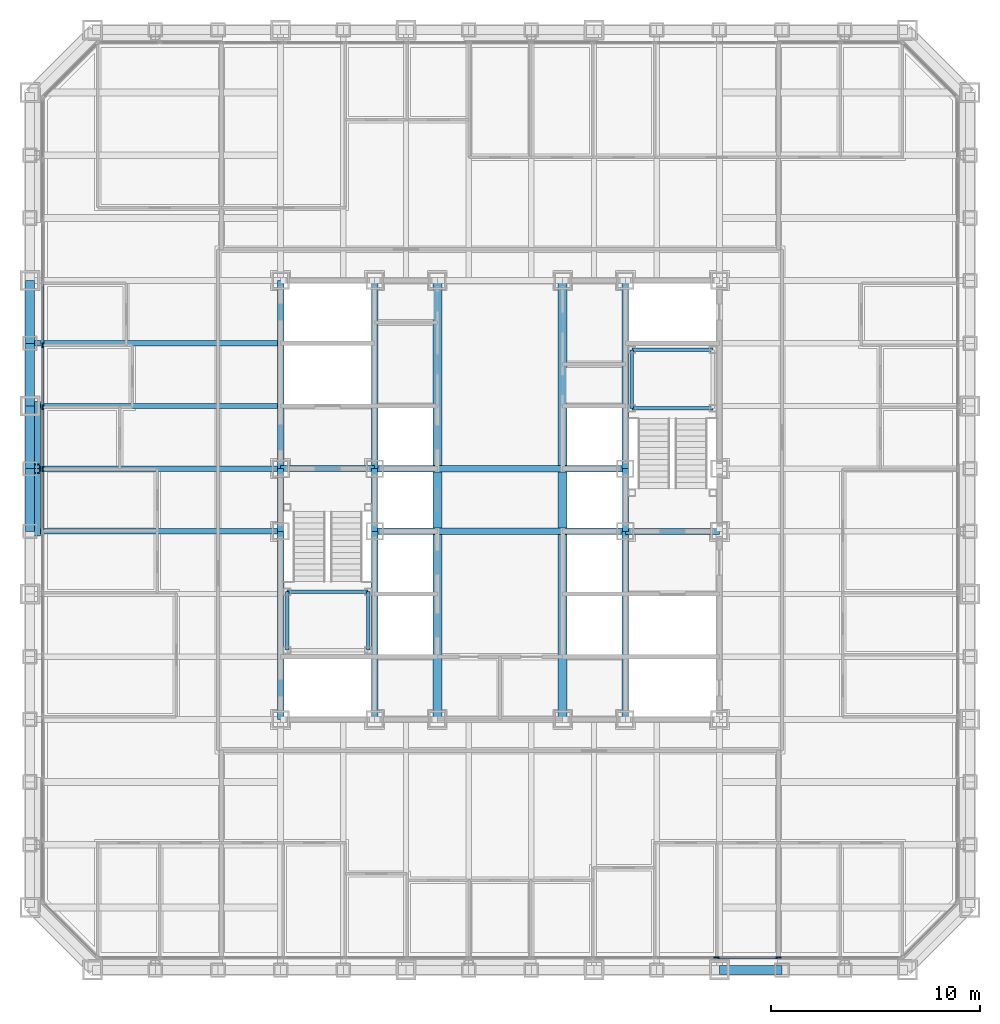
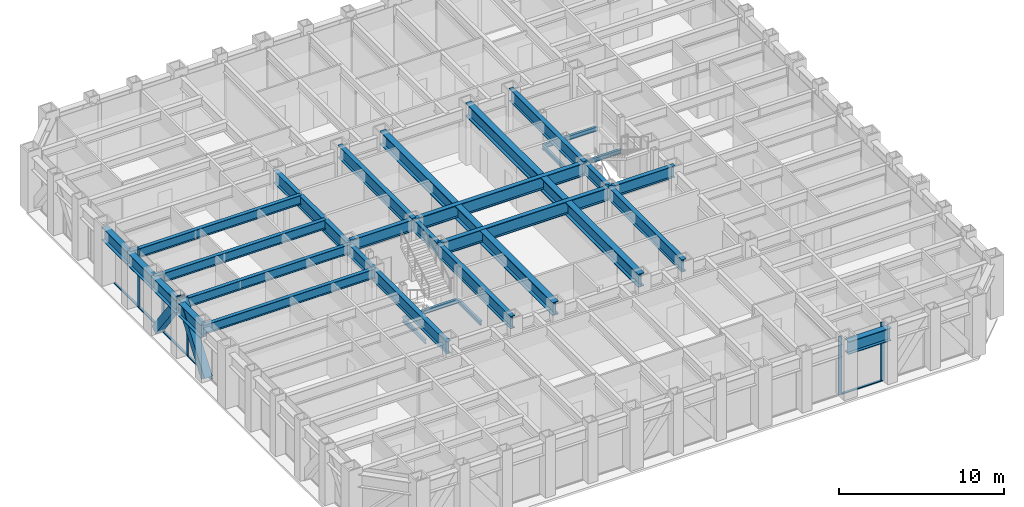
# One storey, part 3 of 16: 34 beams, 12 members, 2 elements without a shape of their own.
"""IFC4 building model written with IfcOpenShell, lengths in metres."""

from ifc_helpers import new_model, si_unit, direction, frame, origin, origin_2d, place, context, subcontext, project, spatial, rectangle, hollow_rectangle, i_section, extrude, material, layer, layer_set, material_profile, profile_set, type_object, element, aggregate, save


model = new_model("IFC4")

# Units and contexts
model_context = context("Model", 3, precision=1e-05, world=origin(), true_north=direction((0.0, 1.0)))
body_context = subcontext(model_context, "Body", "Model", "MODEL_VIEW")
ifc_project = project(units=[si_unit("LENGTHUNIT", "METRE"), si_unit("AREAUNIT", "SQUARE_METRE"), si_unit("VOLUMEUNIT", "CUBIC_METRE"), si_unit("PLANEANGLEUNIT", "RADIAN"), si_unit("MASSUNIT", "GRAM", prefix="KILO")], contexts=[model_context])

# Site, building, storey
site_placement = place(None, origin())
site = spatial("IfcSite", under=ifc_project, at=site_placement, CompositionType="ELEMENT")
building_placement = place(site_placement, origin())
building = spatial("IfcBuilding", under=site, at=building_placement, Name="Chuquiago Exchange Tower", CompositionType="ELEMENT")
storey_placement = place(building_placement, frame((0.0, 0.0, 82.800048828125)))
storey = spatial("IfcBuildingStorey", under=building, at=storey_placement, Name="L17", CompositionType="ELEMENT", Elevation=82.800048828125)

# Beams
ifc_material_1 = material(Name="Steel ASTM A992", Category="steel")
ifc_material_profile_1 = material_profile(ifc_material_1, i_section(OverallWidth=0.307373046875, OverallDepth=0.927001953125, WebThickness=0.01953125, FlangeThickness=0.031982421875, at=origin_2d()), Name="W36X194")
ifc_profile_set_1 = profile_set([ifc_material_profile_1], Name="Steel ASTM A992")
beam_type_1 = type_object("IfcBeamType", Name="B10 W36X194", PredefinedType="BEAM", material=ifc_profile_set_1)
for number, where, z_axis, x_axis, name in (
    (1, (12.0, 12.0, 3.576416015625), (0.0, 1.0, 0.0), (-1.0, 0.0, 0.0), "CB-L18-12_12-12_21"),
    (2, (12.0, 24.0, 3.576416015625), (0.0, 1.0, 0.0), (-1.0, 0.0, 0.0), "CB-L18-12_24-12_33"),
    (3, (16.5, 12.0, 3.87646484375), (0.0, 1.0, 0.0), (-1.0, 0.0, 0.0), "CB-L18-16.5_12-16.5_21"),
    (4, (16.5, 24.0, 3.87646484375), (0.0, 1.0, 0.0), (-1.0, 0.0, 0.0), "CB-L18-16.5_24-16.5_33"),
    (5, (28.5, 12.0, 3.87646484375), (0.0, 1.0, 0.0), (-1.0, 0.0, 0.0), "CB-L18-28.5_12-28.5_21"),
    (6, (28.5, 24.0, 3.87646484375), (0.0, 1.0, 0.0), (-1.0, 0.0, 0.0), "CB-L18-28.5_24-28.5_33"),
):
    element("IfcBeam", number, at=place(storey_placement, frame(where, z_axis=z_axis, x_axis=x_axis)), inside=storey, type_object=beam_type_1, Name=name, PredefinedType="BEAM", context=body_context, shape_type="SweptSolid", body=[
        extrude(i_section(OverallWidth=0.307373046875, OverallDepth=0.927001953125, WebThickness=0.01953125, FlangeThickness=0.031982421875, at=origin_2d()), origin(), (0.0, 0.0, 1.0), 9.0),
    ])
ifc_material_2 = material(Name="Steel ASTM A992", Category="steel")
ifc_material_profile_2 = material_profile(ifc_material_2, i_section(OverallWidth=0.309814453125, OverallDepth=0.949951171875, WebThickness=0.0244140625, FlangeThickness=0.0439453125, at=origin_2d()), Name="W36X256")
ifc_profile_set_2 = profile_set([ifc_material_profile_2], Name="Steel ASTM A992")
beam_type_2 = type_object("IfcBeamType", Name="B11 W36X256", PredefinedType="BEAM", material=ifc_profile_set_2)
for number, where, z_axis, x_axis, name in (
    (7, (16.5, 21.0, 3.864990234375), (1.0, 0.0, 0.0), (0.0, 1.0, 0.0), "CB-L18-16.5_21-28.5_21"),
    (8, (16.5, 24.0, 3.864990234375), (1.0, 0.0, 0.0), (0.0, 1.0, 0.0), "CB-L18-16.5_24-28.5_24"),
):
    element("IfcBeam", number, at=place(storey_placement, frame(where, z_axis=z_axis, x_axis=x_axis)), inside=storey, type_object=beam_type_2, Name=name, PredefinedType="BEAM", context=body_context, shape_type="SweptSolid", body=[
        extrude(i_section(OverallWidth=0.309814453125, OverallDepth=0.949951171875, WebThickness=0.0244140625, FlangeThickness=0.0439453125, at=origin_2d()), origin(), (0.0, 0.0, 1.0), 12.0),
    ])
ifc_material_3 = material(Name="Steel ASTM A992", Category="steel")
ifc_material_profile_3 = material_profile(ifc_material_3, i_section(OverallWidth=0.4267578125, OverallDepth=0.975341796875, WebThickness=0.031005859375, FlangeThickness=0.055908203125, at=origin_2d()), Name="W36X395")
ifc_profile_set_3 = profile_set([ifc_material_profile_3], Name="Steel ASTM A992")
beam_type_3 = type_object("IfcBeamType", Name="B12 W36X395", PredefinedType="BEAM", material=ifc_profile_set_3)
beam_1_placement = place(storey_placement, frame((19.5, 12.0, 3.852294921875), z_axis=(0.0, 1.0, 0.0), x_axis=(-1.0, 0.0, 0.0)))
element("IfcBeam", 9, at=beam_1_placement, inside=storey, type_object=beam_type_3, Name="CB-L18-19.5_12-19.5_20.8451", PredefinedType="BEAM", context=body_context, shape_type="SweptSolid", body=[
    extrude(i_section(OverallWidth=0.4267578125, OverallDepth=0.975341796875, WebThickness=0.031005859375, FlangeThickness=0.055908203125, at=origin_2d()), origin(), (0.0, 0.0, 1.0), 8.84521484375),
])
beam_2_placement = place(storey_placement, frame((19.5, 21.15478515625, 3.852294921875), z_axis=(0.0, 1.0, 0.0), x_axis=(-1.0, 0.0, 0.0)))
element("IfcBeam", 10, at=beam_2_placement, inside=storey, type_object=beam_type_3, Name="CB-L18-19.5_21.1549-19.5_23.8451", PredefinedType="BEAM", context=body_context, shape_type="SweptSolid", body=[
    extrude(i_section(OverallWidth=0.4267578125, OverallDepth=0.975341796875, WebThickness=0.031005859375, FlangeThickness=0.055908203125, at=origin_2d()), origin(), (0.0, 0.0, 1.0), 2.6904296875),
])
for number, where, z_axis, x_axis, name in (
    (11, (19.5, 24.15478515625, 3.852294921875), (0.0, 1.0, 0.0), (-1.0, 0.0, 0.0), "CB-L18-19.5_24.1549-19.5_33"),
    (12, (25.5, 12.0, 3.852294921875), (0.0, 1.0, 0.0), (-1.0, 0.0, 0.0), "CB-L18-25.5_12-25.5_20.8451"),
):
    element("IfcBeam", number, at=place(storey_placement, frame(where, z_axis=z_axis, x_axis=x_axis)), inside=storey, type_object=beam_type_3, Name=name, PredefinedType="BEAM", context=body_context, shape_type="SweptSolid", body=[
        extrude(i_section(OverallWidth=0.4267578125, OverallDepth=0.975341796875, WebThickness=0.031005859375, FlangeThickness=0.055908203125, at=origin_2d()), origin(), (0.0, 0.0, 1.0), 8.84521484375),
    ])
beam_3_placement = place(storey_placement, frame((25.5, 21.15478515625, 3.852294921875), z_axis=(0.0, 1.0, 0.0), x_axis=(-1.0, 0.0, 0.0)))
element("IfcBeam", 13, at=beam_3_placement, inside=storey, type_object=beam_type_3, Name="CB-L18-25.5_21.1549-25.5_23.8451", PredefinedType="BEAM", context=body_context, shape_type="SweptSolid", body=[
    extrude(i_section(OverallWidth=0.4267578125, OverallDepth=0.975341796875, WebThickness=0.031005859375, FlangeThickness=0.055908203125, at=origin_2d()), origin(), (0.0, 0.0, 1.0), 2.6904296875),
])
beam_4_placement = place(storey_placement, frame((25.5, 24.15478515625, 3.852294921875), z_axis=(0.0, 1.0, 0.0), x_axis=(-1.0, 0.0, 0.0)))
element("IfcBeam", 14, at=beam_4_placement, inside=storey, type_object=beam_type_3, Name="CB-L18-25.5_24.1549-25.5_33", PredefinedType="BEAM", context=body_context, shape_type="SweptSolid", body=[
    extrude(i_section(OverallWidth=0.4267578125, OverallDepth=0.975341796875, WebThickness=0.031005859375, FlangeThickness=0.055908203125, at=origin_2d()), origin(), (0.0, 0.0, 1.0), 8.84521484375),
])
ifc_material_4 = material(Name="Steel ASTM A992", Category="steel")
ifc_material_profile_4 = material_profile(ifc_material_4, i_section(OverallWidth=0.2919921875, OverallDepth=0.8583984375, WebThickness=0.01708984375, FlangeThickness=0.031005859375, at=origin_2d()), Name="W33X169")
ifc_profile_set_4 = profile_set([ifc_material_profile_4], Name="Steel ASTM A992")
beam_type_4 = type_object("IfcBeamType", Name="B3 W33X169", PredefinedType="BEAM", material=ifc_profile_set_4)
for number, where, z_axis, x_axis, name in (
    (15, (12.0, 21.0, 3.610595703125), (0.0, 1.0, 0.0), (-1.0, 0.0, 0.0), "CB-L18-12_21-12_24"),
    (16, (16.5, 21.0, 3.91064453125), (0.0, 1.0, 0.0), (-1.0, 0.0, 0.0), "CB-L18-16.5_21-16.5_24"),
    (17, (28.5, 21.0, 3.91064453125), (0.0, 1.0, 0.0), (-1.0, 0.0, 0.0), "CB-L18-28.5_21-28.5_24"),
):
    element("IfcBeam", number, at=place(storey_placement, frame(where, z_axis=z_axis, x_axis=x_axis)), inside=storey, type_object=beam_type_4, Name=name, PredefinedType="BEAM", context=body_context, shape_type="SweptSolid", body=[
        extrude(i_section(OverallWidth=0.2919921875, OverallDepth=0.8583984375, WebThickness=0.01708984375, FlangeThickness=0.031005859375, at=origin_2d()), origin(), (0.0, 0.0, 1.0), 3.0),
    ])
for number, where, z_axis, x_axis, name in (
    (18, (28.5, 21.0, 3.91064453125), (1.0, 0.0, 0.0), (0.0, 1.0, 0.0), "CB-L18-28.5_21-33_21"),
    (19, (12.0, 24.0, 3.91064453125), (1.0, 0.0, 0.0), (0.0, 1.0, 0.0), "CB-L18-12_24-16.5_24"),
):
    element("IfcBeam", number, at=place(storey_placement, frame(where, z_axis=z_axis, x_axis=x_axis)), inside=storey, type_object=beam_type_4, Name=name, PredefinedType="BEAM", context=body_context, shape_type="SweptSolid", body=[
        extrude(i_section(OverallWidth=0.2919921875, OverallDepth=0.8583984375, WebThickness=0.01708984375, FlangeThickness=0.031005859375, at=origin_2d()), origin(), (0.0, 0.0, 1.0), 4.5),
    ])
ifc_material_5 = material(Name="Steel ASTM A992", Category="steel")
ifc_material_profile_5 = material_profile(ifc_material_5, i_section(OverallWidth=0.256591796875, OverallDepth=0.693359375, WebThickness=0.014404296875, FlangeThickness=0.023681640625, at=origin_2d()), Name="W27X114")
ifc_profile_set_5 = profile_set([ifc_material_profile_5], Name="Steel ASTM A992")
beam_type_5 = type_object("IfcBeamType", Name="B4 W27X114", PredefinedType="BEAM", material=ifc_profile_set_5)
for number, where, z_axis, x_axis, name in (
    (20, (12.0, 21.0, 3.693359375), (-1.0, 0.0, 0.0), (0.0, -1.0, 0.0), "FB-L18-infill-12_21--0_21-0"),
    (21, (12.0, 24.0, 3.693359375), (-1.0, 0.0, 0.0), (0.0, -1.0, 0.0), "FB-L18-infill-12_24--0_24-0"),
    (22, (12.0, 27.0, 3.693359375), (-1.0, 0.0, 0.0), (0.0, -1.0, 0.0), "FB-L18-infill-12_27--0_27-0"),
    (23, (12.0, 30.0, 3.693359375), (-1.0, 0.0, 0.0), (0.0, -1.0, 0.0), "FB-L18-infill-12_30--0_30-0"),
):
    element("IfcBeam", number, at=place(storey_placement, frame(where, z_axis=z_axis, x_axis=x_axis)), inside=storey, type_object=beam_type_5, Name=name, PredefinedType="BEAM", context=body_context, shape_type="SweptSolid", body=[
        extrude(i_section(OverallWidth=0.256591796875, OverallDepth=0.693359375, WebThickness=0.014404296875, FlangeThickness=0.023681640625, at=origin_2d()), origin(), (0.0, 0.0, 1.0), 12.0),
    ])

# Curtain wall, members
ifc_material_6 = material(Name="Aluminium curtain wall system", Category="aluminium")
ifc_layer = layer(ifc_material_6, 0.25)
ifc_layer_set = layer_set([ifc_layer], Name="CW1 trading floor curtain wall")
curtain_wall_type = type_object("IfcCurtainWallType", Name="CW1 trading floor curtain wall", PredefinedType="NOTDEFINED", material=ifc_layer_set)
curtain_wall_1_placement = place(storey_placement, origin())
curtain_wall_1 = element("IfcCurtainWall", 24, at=curtain_wall_1_placement, inside=storey, type_object=curtain_wall_type, Name="CW1 curtain wall L17", PredefinedType="NOTDEFINED")
ifc_material_7 = material(Name="Aluminium mullion, pale anodised", Category="aluminium")
ifc_material_profile_6 = material_profile(ifc_material_7, rectangle(XDim=0.074951171875, YDim=0.25, at=origin_2d()), Name="AL 75x250")
ifc_profile_set_6 = profile_set([ifc_material_profile_6], Name="Aluminium mullion, pale anodised")
member_type_1 = type_object("IfcMemberType", Name="CW1-M mullion 75x250", PredefinedType="MULLION", material=ifc_profile_set_6)
member_1_placement = place(storey_placement, frame((32.8662109375, 0.60009765625, -0.300048828125), z_axis=(0.0, 0.0, 1.0), x_axis=(0.0, 1.0, 0.0)))
member_1 = element("IfcMember", 25, at=member_1_placement, type_object=member_type_1, Name="CW1 mullion 11", PredefinedType="MULLION", context=body_context, shape_type="SweptSolid", body=[
    extrude(rectangle(XDim=0.074951171875, YDim=0.25, at=origin_2d()), origin(), (0.0, 0.0, 1.0), 4.340087890625),
])
member_2_placement = place(storey_placement, frame((35.827880859375, 0.60009765625, -0.300048828125), z_axis=(0.0, 0.0, 1.0), x_axis=(0.0, 1.0, 0.0)))
member_2 = element("IfcMember", 26, at=member_2_placement, type_object=member_type_1, Name="CW1 mullion 12", PredefinedType="MULLION", context=body_context, shape_type="SweptSolid", body=[
    extrude(rectangle(XDim=0.074951171875, YDim=0.25, at=origin_2d()), origin(), (0.0, 0.0, 1.0), 4.340087890625),
])

curtain_wall_2_placement = place(storey_placement, origin())
curtain_wall_2 = element("IfcCurtainWall", 27, at=curtain_wall_2_placement, inside=storey, type_object=curtain_wall_type, Name="CW1 curtain wall L17", PredefinedType="NOTDEFINED")
member_3_placement = place(storey_placement, frame((0.60009765625, 29.904541015625, -0.300048828125), z_axis=(0.0, 0.0, 1.0), x_axis=(1.0, 0.0, 0.0)))
member_3 = element("IfcMember", 28, at=member_3_placement, type_object=member_type_1, Name="CW1 mullion 5", PredefinedType="MULLION", context=body_context, shape_type="SweptSolid", body=[
    extrude(rectangle(XDim=0.074951171875, YDim=0.25, at=origin_2d()), origin(), (0.0, 0.0, 1.0), 4.340087890625),
])
member_4_placement = place(storey_placement, frame((0.60009765625, 26.942626953125, -0.300048828125), z_axis=(0.0, 0.0, 1.0), x_axis=(1.0, 0.0, 0.0)))
member_4 = element("IfcMember", 29, at=member_4_placement, type_object=member_type_1, Name="CW1 mullion 6", PredefinedType="MULLION", context=body_context, shape_type="SweptSolid", body=[
    extrude(rectangle(XDim=0.074951171875, YDim=0.25, at=origin_2d()), origin(), (0.0, 0.0, 1.0), 4.340087890625),
])
member_5_placement = place(storey_placement, frame((0.60009765625, 23.98095703125, -0.300048828125), z_axis=(0.0, 0.0, 1.0), x_axis=(1.0, 0.0, 0.0)))
member_5 = element("IfcMember", 30, at=member_5_placement, type_object=member_type_1, Name="CW1 mullion 7", PredefinedType="MULLION", context=body_context, shape_type="SweptSolid", body=[
    extrude(rectangle(XDim=0.074951171875, YDim=0.25, at=origin_2d()), origin(), (0.0, 0.0, 1.0), 4.340087890625),
])

# Member
ifc_material_8 = material(Name="Aluminium transom, pale anodised", Category="aluminium")
ifc_material_profile_7 = material_profile(ifc_material_8, rectangle(XDim=0.14990234375, YDim=0.074951171875, at=origin_2d()), Name="AL 150x75")
ifc_profile_set_7 = profile_set([ifc_material_profile_7], Name="Aluminium transom, pale anodised")
member_type_2 = type_object("IfcMemberType", Name="CW1-T transom 75x150", PredefinedType="MULLION", material=ifc_profile_set_7)
member_6_placement = place(storey_placement, frame((32.90380859375, 0.60009765625, -0.262451171875), z_axis=(1.0, 0.0, 0.0), x_axis=(0.0, 1.0, 0.0)))
member_6 = element("IfcMember", 31, at=member_6_placement, type_object=member_type_2, Name="CW1 transom 11.1", PredefinedType="MULLION", context=body_context, shape_type="SweptSolid", body=[
    extrude(rectangle(XDim=0.14990234375, YDim=0.074951171875, at=origin_2d()), origin(), (0.0, 0.0, 1.0), 2.88671875),
])

aggregate(curtain_wall_1, [member_1, member_2, member_6])

member_7_placement = place(storey_placement, frame((0.60009765625, 32.82861328125, -0.262451171875), z_axis=(0.0, -1.0, 0.0), x_axis=(1.0, 0.0, 0.0)))
member_7 = element("IfcMember", 32, at=member_7_placement, type_object=member_type_2, Name="CW1 transom 4.1", PredefinedType="MULLION", context=body_context, shape_type="SweptSolid", body=[
    extrude(rectangle(XDim=0.14990234375, YDim=0.074951171875, at=origin_2d()), origin(), (0.0, 0.0, 1.0), 2.88671875),
])

member_8_placement = place(storey_placement, frame((0.60009765625, 29.866943359375, -0.262451171875), z_axis=(0.0, -1.0, 0.0), x_axis=(1.0, 0.0, 0.0)))
member_8 = element("IfcMember", 33, at=member_8_placement, type_object=member_type_2, Name="CW1 transom 5.1", PredefinedType="MULLION", context=body_context, shape_type="SweptSolid", body=[
    extrude(rectangle(XDim=0.14990234375, YDim=0.074951171875, at=origin_2d()), origin(), (0.0, 0.0, 1.0), 2.88671875),
])

member_9_placement = place(storey_placement, frame((0.60009765625, 26.9052734375, -0.262451171875), z_axis=(0.0, -1.0, 0.0), x_axis=(1.0, 0.0, 0.0)))
member_9 = element("IfcMember", 34, at=member_9_placement, type_object=member_type_2, Name="CW1 transom 6.1", PredefinedType="MULLION", context=body_context, shape_type="SweptSolid", body=[
    extrude(rectangle(XDim=0.14990234375, YDim=0.074951171875, at=origin_2d()), origin(), (0.0, 0.0, 1.0), 2.886962890625),
])

member_10_placement = place(storey_placement, frame((0.60009765625, 23.943359375, -0.262451171875), z_axis=(0.0, -1.0, 0.0), x_axis=(1.0, 0.0, 0.0)))
member_10 = element("IfcMember", 35, at=member_10_placement, type_object=member_type_2, Name="CW1 transom 7.1", PredefinedType="MULLION", context=body_context, shape_type="SweptSolid", body=[
    extrude(rectangle(XDim=0.14990234375, YDim=0.074951171875, at=origin_2d()), origin(), (0.0, 0.0, 1.0), 2.88671875),
])

aggregate(curtain_wall_2, [member_3, member_4, member_5, member_7, member_8, member_9, member_10])

# Beams
ifc_material_9 = material(Name="Steel ASTM A992", Category="steel")
ifc_material_profile_8 = material_profile(ifc_material_9, i_section(OverallWidth=0.164794921875, OverallDepth=0.309814453125, WebThickness=0.005859375, FlangeThickness=0.009765625, at=origin_2d()), Name="W12X26")
ifc_profile_set_8 = profile_set([ifc_material_profile_8], Name="Steel ASTM A992")
beam_type_6 = type_object("IfcBeamType", Name="LS1 W12X26", PredefinedType="BEAM", material=ifc_profile_set_8)
for number, where, z_axis, x_axis, name in (
    (36, (12.31005859375, 15.31005859375, 1.89501953125), (0.0, 1.0, 0.0), (-1.0, 0.0, 0.0), "Stair ST1 L17 landing 1 stringer"),
    (37, (16.18994140625, 15.31005859375, 1.89501953125), (0.0, 1.0, 0.0), (-1.0, 0.0, 0.0), "Stair ST1 L17 landing 1 stringer"),
    (38, (28.81005859375, 26.889892578125, 1.89501953125), (0.0, 1.0, 0.0), (-1.0, 0.0, 0.0), "Stair ST2 L17 landing 1 stringer"),
):
    element("IfcBeam", number, at=place(storey_placement, frame(where, z_axis=z_axis, x_axis=x_axis)), inside=storey, type_object=beam_type_6, Name=name, PredefinedType="BEAM", context=body_context, shape_type="SweptSolid", body=[
        extrude(i_section(OverallWidth=0.164794921875, OverallDepth=0.309814453125, WebThickness=0.005859375, FlangeThickness=0.009765625, at=origin_2d()), origin(), (0.0, 0.0, 1.0), 2.800048828125),
    ])
ifc_material_10 = material(Name="Steel ASTM A992", Category="steel")
ifc_material_profile_9 = material_profile(ifc_material_10, i_section(OverallWidth=0.164794921875, OverallDepth=0.309814453125, WebThickness=0.005859375, FlangeThickness=0.009765625, at=origin_2d()), Name="W12X26")
ifc_profile_set_9 = profile_set([ifc_material_profile_9], Name="Steel ASTM A992")
beam_type_7 = type_object("IfcBeamType", Name="LT1 W12X26", PredefinedType="BEAM", material=ifc_profile_set_9)
for number, where, z_axis, x_axis, name in (
    (39, (12.31005859375, 18.110107421875, 1.89501953125), (1.0, 0.0, 0.0), (0.0, 1.0, 0.0), "Stair ST1 L17 landing 1 trimmer"),
    (40, (28.81005859375, 29.68994140625, 1.89501953125), (1.0, 0.0, 0.0), (0.0, 1.0, 0.0), "Stair ST2 L17 landing 1 trimmer"),
    (41, (28.81005859375, 26.889892578125, 1.89501953125), (1.0, 0.0, 0.0), (0.0, 1.0, 0.0), "Stair ST2 L17 landing 1 trimmer"),
):
    element("IfcBeam", number, at=place(storey_placement, frame(where, z_axis=z_axis, x_axis=x_axis)), inside=storey, type_object=beam_type_7, Name=name, PredefinedType="BEAM", context=body_context, shape_type="SweptSolid", body=[
        extrude(i_section(OverallWidth=0.164794921875, OverallDepth=0.309814453125, WebThickness=0.005859375, FlangeThickness=0.009765625, at=origin_2d()), origin(), (0.0, 0.0, 1.0), 3.8798828125),
    ])

# Members
ifc_material_11 = material(Name="Steel ASTM A572 Grade 50", Category="steel")
ifc_material_profile_10 = material_profile(ifc_material_11, hollow_rectangle(XDim=0.550048828125, YDim=0.550048828125, WallThickness=0.044921875, at=origin_2d()), Name="BOX550X550X45")
ifc_profile_set_10 = profile_set([ifc_material_profile_10], Name="Steel ASTM A572 Grade 50")
member_type_3 = type_object("IfcMemberType", Name="MB1 BOX550X550X45", PredefinedType="BRACE", material=ifc_profile_set_10)
for number, where, z_axis, x_axis, name in (
    (42, (0.22998046875, 27.0, 0.0), (0.0, -0.596173923302, 0.802855312728), (1.0, 0.0, 0.0), "Mega diagonal L17 W face"),
    (43, (0.22998046875, 21.0, 0.0), (0.0, 0.596173923302, 0.802855312728), (-1.0, 0.0, 0.0), "Mega diagonal L17 W face"),
):
    element("IfcMember", number, at=place(storey_placement, frame(where, z_axis=z_axis, x_axis=x_axis)), inside=storey, type_object=member_type_3, Name=name, PredefinedType="BRACE", context=body_context, shape_type="SweptSolid", body=[
        extrude(hollow_rectangle(XDim=0.550048828125, YDim=0.550048828125, WallThickness=0.044921875, at=origin_2d()), origin(), (0.0, 0.0, 1.0), 5.031982421875),
    ])

# Beams
ifc_material_12 = material(Name="Steel ASTM A992", Category="steel")
ifc_material_profile_11 = material_profile(ifc_material_12, i_section(OverallWidth=0.424072265625, OverallDepth=0.947509765625, WebThickness=0.02392578125, FlangeThickness=0.042724609375, at=origin_2d()), Name="W36X302")
ifc_profile_set_11 = profile_set([ifc_material_profile_11], Name="Steel ASTM A992")
beam_type_8 = type_object("IfcBeamType", Name="SP1 W36X302", PredefinedType="SPANDREL", material=ifc_profile_set_11)
for number, where, z_axis, x_axis, name in (
    (44, (33.0, 0.0, 3.566162109375), (1.0, 0.0, 0.0), (0.0, 1.0, 0.0), "SPB-L18-33_0-36_0"),
    (45, (0.0, 33.0, 3.566162109375), (0.0, -1.0, 0.0), (1.0, 0.0, 0.0), "SPB-L18-0_33-0_30"),
    (46, (0.0, 30.0, 3.566162109375), (0.0, -1.0, 0.0), (1.0, 0.0, 0.0), "SPB-L18-0_30-0_27"),
    (47, (0.0, 27.0, 3.566162109375), (0.0, -1.0, 0.0), (1.0, 0.0, 0.0), "SPB-L18-0_27-0_24"),
    (48, (0.0, 24.0, 3.566162109375), (0.0, -1.0, 0.0), (1.0, 0.0, 0.0), "SPB-L18-0_24-0_21"),
):
    element("IfcBeam", number, at=place(storey_placement, frame(where, z_axis=z_axis, x_axis=x_axis)), inside=storey, type_object=beam_type_8, Name=name, PredefinedType="SPANDREL", context=body_context, shape_type="SweptSolid", body=[
        extrude(i_section(OverallWidth=0.424072265625, OverallDepth=0.947509765625, WebThickness=0.02392578125, FlangeThickness=0.042724609375, at=origin_2d()), origin(), (0.0, 0.0, 1.0), 3.0),
    ])

save(model, "model.ifc")
